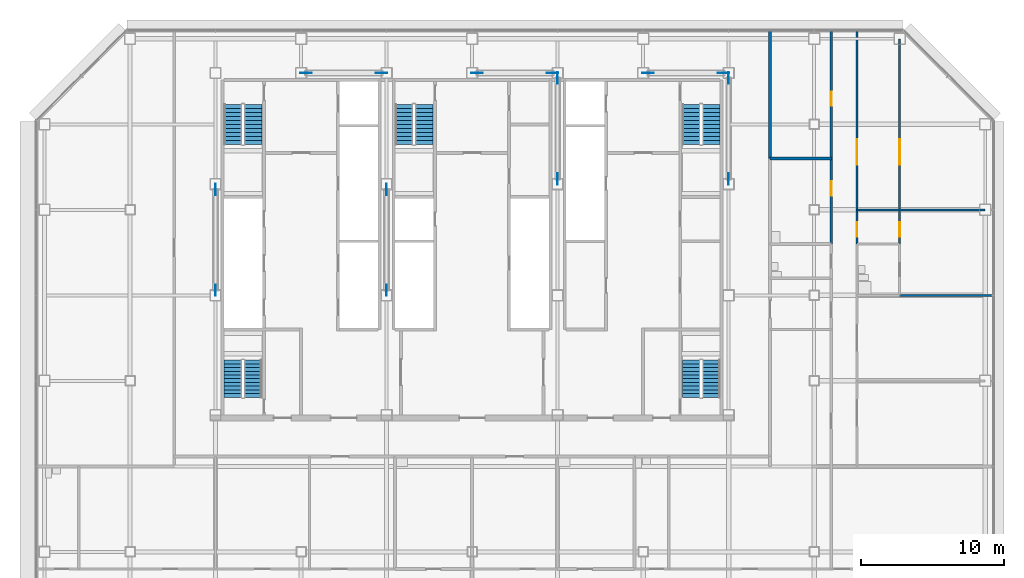
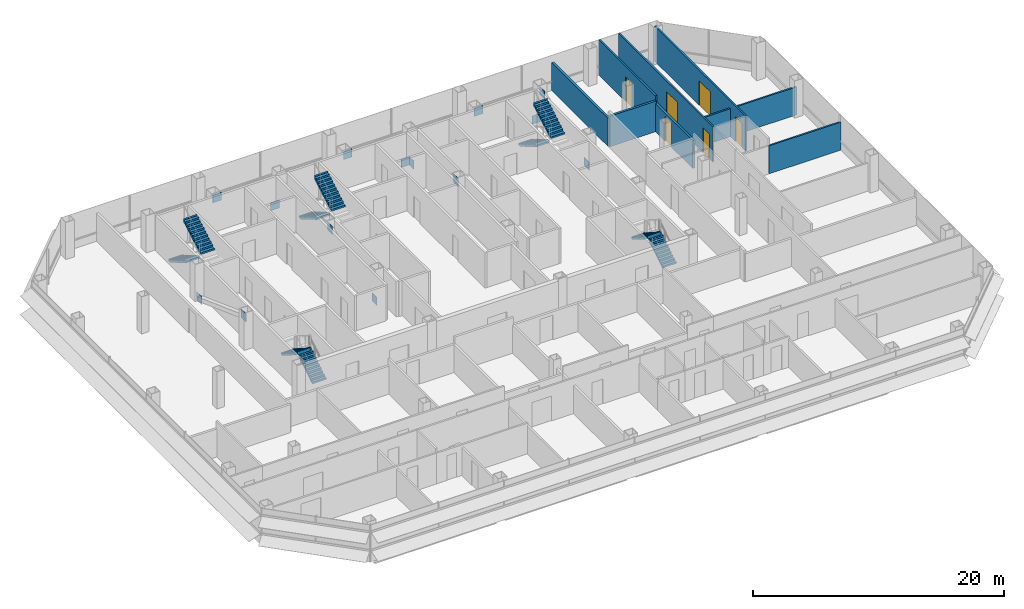
# One storey, part 23 of 25: 14 discrete accessories, 10 stair flights, 8 walls, 6 doors, 6 openings, 5 elements without a shape of their own.
"""IFC4 building model written with IfcOpenShell, lengths in metres."""

import ifcopenshell
import ifcopenshell.guid

model = None  # the IFC model being written
_history = None  # IfcOwnerHistory: only IFC2X3 demands one
_inside = {}  # id of a spatial element -> (the spatial element, [elements in it])
_under = {}  # id of a project, library or spatial element -> (it, [spatial elements below it])
_declared = {}  # id of a project -> (the project, [libraries it declares])
_typed = {}  # id of a type object -> (the type object, [elements of that type])
_made_of = {}  # id of a material, layer set ... -> (it, [elements and type objects made of it])


def new_model(schema):
    """Start an empty IFC model of exactly this schema.

    Asked for "IFC4X3", IfcOpenShell would pick the latest addendum, in which some entities
    have other attributes; the version numbers below select the first issue.
    IFC2X3 requires an IfcOwnerHistory on every rooted entity: one is made here for all.
    """
    global model, _history
    if schema == "IFC4X3":
        model = ifcopenshell.file(schema_version=(4, 3, 0, 0))
    else:
        model = ifcopenshell.file(schema=schema)
    _inside.clear()
    _under.clear()
    _declared.clear()
    _typed.clear()
    _made_of.clear()
    _history = None
    if model.schema == "IFC2X3":
        org = make("IfcOrganization", Name="unknown")
        user = make(
            "IfcPersonAndOrganization",
            ThePerson=make("IfcPerson", FamilyName="unknown"),
            TheOrganization=org,
        )
        app = make(
            "IfcApplication",
            ApplicationDeveloper=org,
            Version="unknown",
            ApplicationFullName="unknown",
            ApplicationIdentifier="unknown",
        )
        _history = make(
            "IfcOwnerHistory",
            OwningUser=user,
            OwningApplication=app,
            ChangeAction="ADDED",
            CreationDate=0,
        )
    return model


def make(cls, **values):
    """One entity of the class cls with the attributes given. An attribute that is None is left unset."""
    return model.create_entity(
        cls, **{name: value for name, value in values.items() if value is not None}
    )


def rooted(cls, **values):
    """An entity with a GlobalId (a new one), such as an element, a storey or a relation."""
    return make(cls, GlobalId=ifcopenshell.guid.new(), OwnerHistory=_history, **values)


def si_unit(unit_type, name, prefix=None):
    """IfcSIUnit, for example si_unit("LENGTHUNIT", "METRE", prefix="MILLI")."""
    return make("IfcSIUnit", UnitType=unit_type, Prefix=prefix, Name=name)


def assignment(units):
    """IfcUnitAssignment: the units of a project."""
    return None if units is None else make("IfcUnitAssignment", Units=units)


def point(xyz):
    """IfcCartesianPoint."""
    return None if xyz is None else make("IfcCartesianPoint", Coordinates=xyz)


def direction(xyz):
    """IfcDirection."""
    return None if xyz is None else make("IfcDirection", DirectionRatios=xyz)


def frame(location, z_axis=None, x_axis=None):
    """IfcAxis2Placement3D, a coordinate frame: its origin and axes. An axis left out is left unset."""
    return make(
        "IfcAxis2Placement3D",
        Location=point(location),
        Axis=direction(z_axis),
        RefDirection=direction(x_axis),
    )


def frame_2d(location, x_axis=None):
    """IfcAxis2Placement2D, a coordinate frame in the plane: its origin and x axis."""
    return make(
        "IfcAxis2Placement2D", Location=point(location), RefDirection=direction(x_axis)
    )


def origin():
    """The frame at (0, 0, 0) with its axes left unset."""
    return frame((0.0, 0.0, 0.0))


def origin_2d():
    """The frame at (0, 0) in the plane with its x axis left unset."""
    return frame_2d((0.0, 0.0))


def place(relative_to, where):
    """IfcLocalPlacement: puts the frame where relative to a parent placement (None: the world)."""
    return make(
        "IfcLocalPlacement", PlacementRelTo=relative_to, RelativePlacement=where
    )


def context(
    kind, dimensions, precision=None, world=None, true_north=None, identifier=None
):
    """IfcGeometricRepresentationContext, for example the 3D "Model" context."""
    return make(
        "IfcGeometricRepresentationContext",
        ContextIdentifier=identifier,
        ContextType=kind,
        CoordinateSpaceDimension=dimensions,
        Precision=precision,
        WorldCoordinateSystem=world,
        TrueNorth=true_north,
    )


def subcontext(parent, identifier, kind, view, scale=None):
    """IfcGeometricRepresentationSubContext, for example "Body" below "Model"."""
    return make(
        "IfcGeometricRepresentationSubContext",
        ContextIdentifier=identifier,
        ContextType=kind,
        ParentContext=parent,
        TargetScale=scale,
        TargetView=view,
    )


def project(units=None, contexts=None):
    """IfcProject with its units and contexts."""
    return rooted(
        "IfcProject",
        Name="project",
        RepresentationContexts=contexts,
        UnitsInContext=assignment(units),
    )


def spatial(cls, under=None, at=None, **own):
    """A site, building, storey or space (cls), placed at a placement, below another one or the project."""
    s = rooted(cls, ObjectPlacement=at, **own)
    if under is not None:
        _under.setdefault(under.id(), (under, []))[1].append(s)
    return s


def polyline(points):
    """IfcPolyline through the points."""
    return make("IfcPolyline", Points=[point(p) for p in points])


def profile(cls, at=None, kind="AREA", **sizes):
    """A parametric profile (cls). Its sizes go by their IFC names, for example OverallWidth=200.0."""
    return make(cls, ProfileType=kind, Position=at, **sizes)


def rectangle(**sizes):
    """IfcRectangleProfileDef."""
    return profile("IfcRectangleProfileDef", **sizes)


def outline(outer, holes=None, kind="AREA"):
    """IfcArbitraryClosedProfileDef: a profile drawn as a closed curve; with holes, ...WithVoids."""
    if holes is None:
        return make("IfcArbitraryClosedProfileDef", ProfileType=kind, OuterCurve=outer)
    return make(
        "IfcArbitraryProfileDefWithVoids",
        ProfileType=kind,
        OuterCurve=outer,
        InnerCurves=holes,
    )


def extrude(swept, where, along, depth):
    """IfcExtrudedAreaSolid: the profile swept, set in the frame where, extruded along a direction by depth."""
    return make(
        "IfcExtrudedAreaSolid",
        SweptArea=swept,
        Position=where,
        ExtrudedDirection=direction(along),
        Depth=depth,
    )


def shape(context_of_items, identifier, shape_type, items):
    """IfcShapeRepresentation: the items that make up one representation, for example the "Body"."""
    return make(
        "IfcShapeRepresentation",
        ContextOfItems=context_of_items,
        RepresentationIdentifier=identifier,
        RepresentationType=shape_type,
        Items=items,
    )


def material(Name=None, Category=None):
    """IfcMaterial."""
    return make("IfcMaterial", Name=Name, Category=Category)


def layer(
    of_material, thickness, ventilated=None, Name=None, Category=None, Priority=None
):
    """IfcMaterialLayer: one layer of a wall or slab, of a material (None: an air gap)."""
    return make(
        "IfcMaterialLayer",
        Material=of_material,
        LayerThickness=thickness,
        IsVentilated=ventilated,
        Name=Name,
        Category=Category,
        Priority=Priority,
    )


def layer_set(layers, Name=None):
    """IfcMaterialLayerSet."""
    return make("IfcMaterialLayerSet", MaterialLayers=layers, LayerSetName=Name)


def made_of(thing, what):
    """Note that an element or type object is made of a material, layer set ...; save() writes the relation."""
    if what is not None:
        _made_of.setdefault(what.id(), (what, []))[1].append(thing)
    return thing


def type_object(cls, material=None, **own):
    """A type object (cls), such as IfcWallType, which elements share."""
    return made_of(rooted(cls, **own), material)


def element(
    cls,
    number,
    at=None,
    inside=None,
    cuts=None,
    type_object=None,
    material=None,
    context=None,
    identifier="Body",
    shape_type=None,
    held_by="IfcProductDefinitionShape",
    body=None,
    shapes=None,
    **own,
):
    """One element of the class cls, such as IfcWall. Its Tag is "e" and its number.

    at: its placement. inside: the storey or other place that contains it. cuts: it is an
    opening in that element (IfcRelVoidsElement). A single representation is given by context,
    identifier, shape_type and body (its items); several are given by shapes. held_by: the class
    of the entity that holds the representations. save() writes the other relations.
    """
    e = rooted(cls, Tag="e%d" % number, ObjectPlacement=at, **own)
    if body is not None:
        shapes = [shape(context, identifier, shape_type, body)]
    if shapes is not None:
        e.Representation = make(held_by, Representations=shapes)
    if inside is not None:
        _inside.setdefault(inside.id(), (inside, []))[1].append(e)
    if cuts is not None:
        rooted(
            "IfcRelVoidsElement", RelatingBuildingElement=cuts, RelatedOpeningElement=e
        )
    if type_object is not None:
        _typed.setdefault(type_object.id(), (type_object, []))[1].append(e)
    return made_of(e, material)


def fill(opening, filler):
    """IfcRelFillsElement: the door or window that sits in an opening."""
    return rooted(
        "IfcRelFillsElement",
        RelatingOpeningElement=opening,
        RelatedBuildingElement=filler,
    )


def aggregate(whole, parts):
    """IfcRelAggregates: a whole, such as a stair, and the parts it consists of."""
    return rooted("IfcRelAggregates", RelatingObject=whole, RelatedObjects=parts)


def save(model, path):
    """Write the relations noted so far, then the file.

    IfcRelAggregates (storeys below a building ...), IfcRelContainedInSpatialStructure (elements
    in a storey), IfcRelDefinesByType, IfcRelAssociatesMaterial and IfcRelDeclares: one each for
    every whole, place, type object, material and project.
    """
    for whole, parts in _under.values():
        aggregate(whole, parts)
    for where, things in _inside.values():
        rooted(
            "IfcRelContainedInSpatialStructure",
            RelatedElements=things,
            RelatingStructure=where,
        )
    for kind, things in _typed.values():
        rooted("IfcRelDefinesByType", RelatedObjects=things, RelatingType=kind)
    for what, things in _made_of.values():
        rooted("IfcRelAssociatesMaterial", RelatedObjects=things, RelatingMaterial=what)
    for by, libraries in _declared.values():
        rooted("IfcRelDeclares", RelatingContext=by, RelatedDefinitions=libraries)
    model.write(path)


model = new_model("IFC4")

# Units and contexts
model_context = context("Model", 3, precision=1e-05, world=origin(), true_north=direction((0.0, 1.0)))
body_context = subcontext(model_context, "Body", "Model", "MODEL_VIEW")
ifc_project = project(units=[si_unit("LENGTHUNIT", "METRE"), si_unit("AREAUNIT", "SQUARE_METRE"), si_unit("VOLUMEUNIT", "CUBIC_METRE"), si_unit("PLANEANGLEUNIT", "RADIAN"), si_unit("MASSUNIT", "GRAM", prefix="KILO")], contexts=[model_context])

# Site, building, storey
site_placement = place(None, origin())
site = spatial("IfcSite", under=ifc_project, at=site_placement, CompositionType="ELEMENT")
building_placement = place(site_placement, origin())
building = spatial("IfcBuilding", under=site, at=building_placement, Name="Sorahane Residences", CompositionType="ELEMENT")
storey_placement = place(building_placement, frame((0.0, 0.0, 123.199951171875)))
storey = spatial("IfcBuildingStorey", under=building, at=storey_placement, Name="L27", CompositionType="ELEMENT", Elevation=123.199951171875)

# Wall
ifc_material_1 = material(Name="Concrete blockwork C20 wall", Category="masonry")
ifc_layer_1 = layer(ifc_material_1, 0.199951171875)
ifc_layer_set_1 = layer_set([ifc_layer_1], Name="Corridor wall 200 EI 120")
wall_type_1 = type_object("IfcWallType", Name="Corridor wall 200 EI 120", PredefinedType="SOLIDWALL", material=ifc_layer_set_1)
wall_1_placement = place(storey_placement, frame((44.89990234375, 39.60009765625, 0.0), z_axis=(0.0, 0.0, 1.0), x_axis=(0.0, 1.0, 0.0)))
element("IfcWall", 1, at=wall_1_placement, inside=storey, type_object=wall_type_1, Name="L27 corridor wall", PredefinedType="SOLIDWALL", context=body_context, shape_type="SweptSolid", body=[
    extrude(rectangle(XDim=9.0, YDim=0.199951171875, at=frame_2d((4.5, 0.0))), origin(), (0.0, 0.0, 1.0), 2.719970703125),
])

# Wall, opening, door
ifc_material_2 = material(Name="Concrete blockwork C20 wall", Category="masonry")
ifc_layer_2 = layer(ifc_material_2, 0.199951171875)
ifc_layer_set_2 = layer_set([ifc_layer_2], Name="Kitchen wall 200 EI 180")
wall_type_2 = type_object("IfcWallType", Name="Kitchen wall 200 EI 180", PredefinedType="SOLIDWALL", material=ifc_layer_set_2)
wall_2_placement = place(storey_placement, frame((49.199951171875, 33.60009765625, 0.0), z_axis=(0.0, 0.0, 1.0), x_axis=(0.0, 1.0, 0.0)))
wall_2 = element("IfcWall", 2, at=wall_2_placement, inside=storey, type_object=wall_type_2, Name="L27 kitchen wall", PredefinedType="SOLIDWALL", context=body_context, shape_type="SweptSolid", body=[
    extrude(rectangle(XDim=6.0, YDim=0.199951171875, at=frame_2d((3.0, 0.0))), origin(), (0.0, 0.0, 1.0), 2.719970703125),
])
opening_1_placement = place(wall_2_placement, frame((3.39990234375, 0.0, 0.0)))
opening_1 = element("IfcOpeningElement", 3, at=opening_1_placement, cuts=wall_2, Name="Opening L27-31", PredefinedType="OPENING", context=body_context, shape_type="SweptSolid", body=[
    extrude(rectangle(XDim=1.0, YDim=2.39990234375, at=frame_2d((0.5, 1.199951171875))), frame((0.0, 0.10986328125, 0.0), z_axis=(0.0, -1.0, 0.0), x_axis=(1.0, 0.0, 0.0)), (0.0, 0.0, 1.0), 0.219970703125),
])
ifc_material_3 = material(Name="Steel", Category="steel")
door_type_1 = type_object("IfcDoorType", Name="Kitchen door 1000x2400 FD120", OperationType="NOTDEFINED", PredefinedType="DOOR", material=ifc_material_3)
door_1_placement = place(opening_1_placement, origin())
door_1 = element("IfcDoor", 4, at=door_1_placement, inside=storey, type_object=door_type_1, Name="Kitchen door L27-31", OperationType="SINGLE_SWING_LEFT", OverallHeight=2.39990234375, OverallWidth=1.0, PredefinedType="DOOR", context=body_context, shape_type="SweptSolid", body=[
    extrude(rectangle(XDim=1.0, YDim=2.39990234375, at=frame_2d((0.5, 1.199951171875))), frame((0.0, 0.02490234375, 0.0), z_axis=(0.0, -1.0, 0.0), x_axis=(1.0, 0.0, 0.0)), (0.0, 0.0, 1.0), 0.050048828125),
])
fill(opening_1, door_1)

# Wall
wall_3_placement = place(storey_placement, frame((44.89990234375, 39.60009765625, 0.0), z_axis=(0.0, 0.0, 1.0), x_axis=(1.0, 0.0, 0.0)))
element("IfcWall", 5, at=wall_3_placement, inside=storey, type_object=wall_type_2, Name="L27 kitchen wall", PredefinedType="SOLIDWALL", context=body_context, shape_type="SweptSolid", body=[
    extrude(rectangle(XDim=4.300048828125, YDim=0.199951171875, at=frame_2d((2.14990234375, 0.0))), origin(), (0.0, 0.0, 1.0), 2.969970703125),
])

# Wall, opening, door
ifc_material_4 = material(Name="Gypsum board partition on steel studs", Category="steel")
ifc_layer_3 = layer(ifc_material_4, 0.14990234375)
ifc_layer_set_3 = layer_set([ifc_layer_3], Name="Partition 150 EI 90")
wall_type_3 = type_object("IfcWallType", Name="Partition 150 EI 90", PredefinedType="PARTITIONING", material=ifc_layer_set_3)
wall_4_placement = place(storey_placement, frame((49.199951171875, 39.60009765625, 0.0), z_axis=(0.0, 0.0, 1.0), x_axis=(0.0, 1.0, 0.0)))
wall_4 = element("IfcWall", 6, at=wall_4_placement, inside=storey, type_object=wall_type_3, Name="L27 partition", PredefinedType="PARTITIONING", context=body_context, shape_type="SweptSolid", body=[
    extrude(rectangle(XDim=9.0, YDim=0.14990234375, at=frame_2d((4.5, 0.0))), origin(), (0.0, 0.0, 1.0), 3.420166015625),
])
opening_2_placement = place(wall_4_placement, frame((3.699951171875, 0.0, 0.0)))
opening_2 = element("IfcOpeningElement", 7, at=opening_2_placement, cuts=wall_4, Name="Opening L27-32", PredefinedType="OPENING", context=body_context, shape_type="SweptSolid", body=[
    extrude(rectangle(XDim=1.0, YDim=2.39990234375, at=frame_2d((0.5, 1.199951171875))), frame((0.0, 0.0849609375, 0.0), z_axis=(0.0, -1.0, 0.0), x_axis=(1.0, 0.0, 0.0)), (0.0, 0.0, 1.0), 0.169921875),
])
ifc_material_5 = material(Name="Timber veneered fire door", Category="wood")
door_type_2 = type_object("IfcDoorType", Name="Room door 1000x2400 FD30", OperationType="NOTDEFINED", PredefinedType="DOOR", material=ifc_material_5)
door_2_placement = place(opening_2_placement, origin())
door_2 = element("IfcDoor", 8, at=door_2_placement, inside=storey, type_object=door_type_2, Name="Room door L27-32", OperationType="SINGLE_SWING_RIGHT", OverallHeight=2.39990234375, OverallWidth=1.0, PredefinedType="DOOR", context=body_context, shape_type="SweptSolid", body=[
    extrude(rectangle(XDim=1.0, YDim=2.39990234375, at=frame_2d((0.5, 1.199951171875))), frame((0.0, 0.02490234375, 0.0), z_axis=(0.0, -1.0, 0.0), x_axis=(1.0, 0.0, 0.0)), (0.0, 0.0, 1.0), 0.050048828125),
])
fill(opening_2, door_2)

# Wall, openings, doors
wall_5_placement = place(storey_placement, frame((51.0, 33.60009765625, 0.0), z_axis=(0.0, 0.0, 1.0), x_axis=(0.0, 1.0, 0.0)))
wall_5 = element("IfcWall", 9, at=wall_5_placement, inside=storey, type_object=wall_type_3, Name="L27 partition", PredefinedType="PARTITIONING", context=body_context, shape_type="SweptSolid", body=[
    extrude(rectangle(XDim=15.0, YDim=0.14990234375, at=frame_2d((7.5, 0.0))), origin(), (0.0, 0.0, 1.0), 3.420166015625),
])
opening_3_placement = place(wall_5_placement, frame((0.52001953125, 0.0, 0.0)))
opening_3 = element("IfcOpeningElement", 10, at=opening_3_placement, cuts=wall_5, Name="Opening L27-35", PredefinedType="OPENING", context=body_context, shape_type="SweptSolid", body=[
    extrude(rectangle(XDim=1.0, YDim=2.39990234375, at=frame_2d((0.5, 1.199951171875))), frame((0.0, 0.0849609375, 0.0), z_axis=(0.0, -1.0, 0.0), x_axis=(1.0, 0.0, 0.0)), (0.0, 0.0, 1.0), 0.169921875),
])
opening_4_placement = place(wall_5_placement, frame((5.56005859375, 0.0, 0.0)))
opening_4 = element("IfcOpeningElement", 11, at=opening_4_placement, cuts=wall_5, Name="Opening L27-36", PredefinedType="OPENING", context=body_context, shape_type="SweptSolid", body=[
    extrude(rectangle(XDim=1.800048828125, YDim=2.39990234375, at=frame_2d((0.89990234375, 1.199951171875))), frame((0.0, 0.0849609375, 0.0), z_axis=(0.0, -1.0, 0.0), x_axis=(1.0, 0.0, 0.0)), (0.0, 0.0, 1.0), 0.169921875),
])
ifc_material_6 = material(Name="Timber veneered fire door", Category="wood")
door_type_3 = type_object("IfcDoorType", Name="Double door 1800x2400 FD30", OperationType="NOTDEFINED", PredefinedType="DOOR", material=ifc_material_6)
door_3_placement = place(opening_4_placement, frame((1.800048828125, 0.0, 0.0), z_axis=(0.0, 0.0, 1.0), x_axis=(-1.0, 0.0, 0.0)))
door_3 = element("IfcDoor", 12, at=door_3_placement, inside=storey, type_object=door_type_3, Name="Double door L27-36", OperationType="SINGLE_SWING_RIGHT", OverallHeight=2.39990234375, OverallWidth=1.800048828125, PredefinedType="DOOR", context=body_context, shape_type="SweptSolid", body=[
    extrude(rectangle(XDim=1.800048828125, YDim=2.39990234375, at=frame_2d((0.89990234375, 1.199951171875))), frame((0.0, 0.02490234375, 0.0), z_axis=(0.0, -1.0, 0.0), x_axis=(1.0, 0.0, 0.0)), (0.0, 0.0, 1.0), 0.050048828125),
])
fill(opening_4, door_3)
door_4_placement = place(opening_3_placement, frame((1.0, 0.0, 0.0), z_axis=(0.0, 0.0, 1.0), x_axis=(-1.0, 0.0, 0.0)))
door_4 = element("IfcDoor", 13, at=door_4_placement, inside=storey, type_object=door_type_2, Name="Room door L27-35", OperationType="SINGLE_SWING_LEFT", OverallHeight=2.39990234375, OverallWidth=1.0, PredefinedType="DOOR", context=body_context, shape_type="SweptSolid", body=[
    extrude(rectangle(XDim=1.0, YDim=2.39990234375, at=frame_2d((0.5, 1.199951171875))), frame((0.0, 0.02490234375, 0.0), z_axis=(0.0, -1.0, 0.0), x_axis=(1.0, 0.0, 0.0)), (0.0, 0.0, 1.0), 0.050048828125),
])
fill(opening_3, door_4)

wall_6_placement = place(storey_placement, frame((54.0, 33.60009765625, 0.0), z_axis=(0.0, 0.0, 1.0), x_axis=(0.0, 1.0, 0.0)))
wall_6 = element("IfcWall", 14, at=wall_6_placement, inside=storey, type_object=wall_type_3, Name="L27 partition", PredefinedType="PARTITIONING", context=body_context, shape_type="SweptSolid", body=[
    extrude(rectangle(XDim=14.39990234375, YDim=0.14990234375, at=frame_2d((7.199951171875, 0.0))), origin(), (0.0, 0.0, 1.0), 3.420166015625),
])
opening_5_placement = place(wall_6_placement, frame((0.52001953125, 0.0, 0.0)))
opening_5 = element("IfcOpeningElement", 15, at=opening_5_placement, cuts=wall_6, Name="Opening L27-37", PredefinedType="OPENING", context=body_context, shape_type="SweptSolid", body=[
    extrude(rectangle(XDim=1.0, YDim=2.39990234375, at=frame_2d((0.5, 1.199951171875))), frame((0.0, 0.0849609375, 0.0), z_axis=(0.0, -1.0, 0.0), x_axis=(1.0, 0.0, 0.0)), (0.0, 0.0, 1.0), 0.169921875),
])
opening_6_placement = place(wall_6_placement, frame((5.56005859375, 0.0, 0.0)))
opening_6 = element("IfcOpeningElement", 16, at=opening_6_placement, cuts=wall_6, Name="Opening L27-39", PredefinedType="OPENING", context=body_context, shape_type="SweptSolid", body=[
    extrude(rectangle(XDim=1.800048828125, YDim=2.39990234375, at=frame_2d((0.89990234375, 1.199951171875))), frame((0.0, 0.0849609375, 0.0), z_axis=(0.0, -1.0, 0.0), x_axis=(1.0, 0.0, 0.0)), (0.0, 0.0, 1.0), 0.169921875),
])
door_5_placement = place(opening_6_placement, frame((1.800048828125, 0.0, 0.0), z_axis=(0.0, 0.0, 1.0), x_axis=(-1.0, 0.0, 0.0)))
door_5 = element("IfcDoor", 17, at=door_5_placement, inside=storey, type_object=door_type_3, Name="Double door L27-39", OperationType="SINGLE_SWING_LEFT", OverallHeight=2.39990234375, OverallWidth=1.800048828125, PredefinedType="DOOR", context=body_context, shape_type="SweptSolid", body=[
    extrude(rectangle(XDim=1.800048828125, YDim=2.39990234375, at=frame_2d((0.89990234375, 1.199951171875))), frame((0.0, 0.02490234375, 0.0), z_axis=(0.0, -1.0, 0.0), x_axis=(1.0, 0.0, 0.0)), (0.0, 0.0, 1.0), 0.050048828125),
])
fill(opening_6, door_5)
door_6_placement = place(opening_5_placement, frame((1.0, 0.0, 0.0), z_axis=(0.0, 0.0, 1.0), x_axis=(-1.0, 0.0, 0.0)))
door_6 = element("IfcDoor", 18, at=door_6_placement, inside=storey, type_object=door_type_2, Name="Room door L27-37", OperationType="SINGLE_SWING_LEFT", OverallHeight=2.39990234375, OverallWidth=1.0, PredefinedType="DOOR", context=body_context, shape_type="SweptSolid", body=[
    extrude(rectangle(XDim=1.0, YDim=2.39990234375, at=frame_2d((0.5, 1.199951171875))), frame((0.0, 0.02490234375, 0.0), z_axis=(0.0, -1.0, 0.0), x_axis=(1.0, 0.0, 0.0)), (0.0, 0.0, 1.0), 0.050048828125),
])
fill(opening_5, door_6)

# Walls
wall_7_placement = place(storey_placement, frame((54.0, 30.0, 0.0), z_axis=(0.0, 0.0, 1.0), x_axis=(1.0, 0.0, 0.0)))
element("IfcWall", 19, at=wall_7_placement, inside=storey, type_object=wall_type_3, Name="L27 partition", PredefinedType="PARTITIONING", context=body_context, shape_type="SweptSolid", body=[
    extrude(rectangle(XDim=6.60009765625, YDim=0.14990234375, at=frame_2d((3.300048828125, 0.0))), origin(), (0.0, 0.0, 1.0), 2.719970703125),
])
wall_8_placement = place(storey_placement, frame((51.0, 36.0, 0.0), z_axis=(0.0, 0.0, 1.0), x_axis=(1.0, 0.0, 0.0)))
element("IfcWall", 20, at=wall_8_placement, inside=storey, type_object=wall_type_3, Name="L27 partition", PredefinedType="PARTITIONING", context=body_context, shape_type="SweptSolid", body=[
    extrude(rectangle(XDim=9.0, YDim=0.14990234375, at=frame_2d((4.5, 0.0))), origin(), (0.0, 0.0, 1.0), 2.719970703125),
])

# Stair, stair flights
ifc_material_7 = material(Name="Concrete C40", Category="concrete")
stair_type = type_object("IfcStairType", Name="Dog-leg stair 1250 Concrete C40", PredefinedType="HALF_TURN_STAIR", material=ifc_material_7)
stair_1_placement = place(storey_placement, origin())
stair_1 = element("IfcStair", 21, at=stair_1_placement, inside=storey, type_object=stair_type, Name="L27 Stair S1", PredefinedType="HALF_TURN_STAIR")
ifc_material_8 = material(Name="Concrete C40", Category="concrete")
stair_flight_type = type_object("IfcStairFlightType", Name="Stair flight 1250 Concrete C40", PredefinedType="STRAIGHT", material=ifc_material_8)
stair_flight_1_placement = place(storey_placement, frame((7.22509765625, 43.39990234375, 0.0), z_axis=(0.0, 0.0, 1.0), x_axis=(0.0, -1.0, 0.0)))
stair_flight_1 = element("IfcStairFlight", 22, at=stair_flight_1_placement, type_object=stair_flight_type, Name="S1 flight 1", NumberOfRisers=11, NumberOfTreads=10, PredefinedType="STRAIGHT", RiserHeight=0.163636364, TreadLength=0.28, context=body_context, shape_type="SweptSolid", body=[
    extrude(outline(polyline([(-0.00146484375, 0.0), (-0.00146484375, 0.16357421875), (0.0, 0.16357421875), (0.280029296875, 0.16357421875), (0.280029296875, 0.327392578125), (0.56005859375, 0.327392578125), (0.56005859375, 0.490966796875), (0.840087890625, 0.490966796875), (0.840087890625, 0.654541015625), (1.1201171875, 0.654541015625), (1.1201171875, 0.818115234375), (1.39990234375, 0.818115234375), (1.39990234375, 0.98193359375), (1.679931640625, 0.98193359375), (1.679931640625, 1.1455078125), (1.9599609375, 1.1455078125), (1.9599609375, 1.30908203125), (2.239990234375, 1.30908203125), (2.239990234375, 1.47265625), (2.52001953125, 1.47265625), (2.52001953125, 1.636474609375), (2.800048828125, 1.636474609375), (2.800048828125, 1.800048828125), (2.800048828125, 1.462646484375), (2.59130859375, 1.3408203125), (2.3828125, 1.218994140625), (2.17431640625, 1.09716796875), (1.965576171875, 0.97509765625), (1.757080078125, 0.853271484375), (1.548583984375, 0.7314453125), (1.340087890625, 0.609375), (1.13134765625, 0.487548828125), (0.9228515625, 0.36572265625), (0.71435546875, 0.243896484375), (0.505615234375, 0.121826171875), (0.297119140625, 0.0), (-0.00146484375, 0.0)])), frame((0.0, 0.625, 0.0), z_axis=(0.0, -1.0, 0.0), x_axis=(1.0, 0.0, 0.0)), (0.0, 0.0, 1.0), 1.25),
])
stair_flight_2_placement = place(storey_placement, frame((8.625, 40.60009765625, 1.800048828125), z_axis=(0.0, 0.0, 1.0), x_axis=(0.0, 1.0, 0.0)))
stair_flight_2 = element("IfcStairFlight", 23, at=stair_flight_2_placement, type_object=stair_flight_type, Name="S1 flight 2", NumberOfRisers=11, NumberOfTreads=10, PredefinedType="STRAIGHT", RiserHeight=0.163636364, TreadLength=0.28, context=body_context, shape_type="SweptSolid", body=[
    extrude(outline(polyline([(0.0, 0.0), (0.0, 0.16357421875), (0.280029296875, 0.16357421875), (0.280029296875, 0.327392578125), (0.56005859375, 0.327392578125), (0.56005859375, 0.490966796875), (0.840087890625, 0.490966796875), (0.840087890625, 0.654541015625), (1.1201171875, 0.654541015625), (1.1201171875, 0.818115234375), (1.39990234375, 0.818115234375), (1.39990234375, 0.98193359375), (1.679931640625, 0.98193359375), (1.679931640625, 1.1455078125), (1.9599609375, 1.1455078125), (1.9599609375, 1.30908203125), (2.239990234375, 1.30908203125), (2.239990234375, 1.47265625), (2.52001953125, 1.47265625), (2.52001953125, 1.636474609375), (2.800048828125, 1.636474609375), (2.800048828125, 1.800048828125), (2.801513671875, 1.800048828125), (2.801513671875, 1.462646484375), (2.5927734375, 1.3408203125), (2.384033203125, 1.218994140625), (2.17529296875, 1.09716796875), (1.966796875, 0.97509765625), (1.758056640625, 0.853271484375), (1.54931640625, 0.7314453125), (1.340576171875, 0.609375), (1.1318359375, 0.487548828125), (0.923095703125, 0.36572265625), (0.714599609375, 0.243896484375), (0.505859375, 0.121826171875), (0.297119140625, 0.0), (0.0, 0.0)])), frame((0.0, 0.625, 0.0), z_axis=(0.0, -1.0, 0.0), x_axis=(1.0, 0.0, 0.0)), (0.0, 0.0, 1.0), 1.25),
])
aggregate(stair_1, [stair_flight_1, stair_flight_2])

stair_2_placement = place(storey_placement, origin())
stair_2 = element("IfcStair", 24, at=stair_2_placement, inside=storey, type_object=stair_type, Name="L27 Stair S2", PredefinedType="HALF_TURN_STAIR")
stair_flight_3_placement = place(storey_placement, frame((39.375, 43.39990234375, 0.0), z_axis=(0.0, 0.0, 1.0), x_axis=(0.0, -1.0, 0.0)))
stair_flight_3 = element("IfcStairFlight", 25, at=stair_flight_3_placement, type_object=stair_flight_type, Name="S2 flight 1", NumberOfRisers=11, NumberOfTreads=10, PredefinedType="STRAIGHT", RiserHeight=0.163636364, TreadLength=0.28, context=body_context, shape_type="SweptSolid", body=[
    extrude(outline(polyline([(-0.00146484375, 0.0), (-0.00146484375, 0.16357421875), (0.0, 0.16357421875), (0.280029296875, 0.16357421875), (0.280029296875, 0.327392578125), (0.56005859375, 0.327392578125), (0.56005859375, 0.490966796875), (0.840087890625, 0.490966796875), (0.840087890625, 0.654541015625), (1.1201171875, 0.654541015625), (1.1201171875, 0.818115234375), (1.39990234375, 0.818115234375), (1.39990234375, 0.98193359375), (1.679931640625, 0.98193359375), (1.679931640625, 1.1455078125), (1.9599609375, 1.1455078125), (1.9599609375, 1.30908203125), (2.239990234375, 1.30908203125), (2.239990234375, 1.47265625), (2.52001953125, 1.47265625), (2.52001953125, 1.636474609375), (2.800048828125, 1.636474609375), (2.800048828125, 1.800048828125), (2.800048828125, 1.462646484375), (2.59130859375, 1.3408203125), (2.3828125, 1.218994140625), (2.17431640625, 1.09716796875), (1.965576171875, 0.97509765625), (1.757080078125, 0.853271484375), (1.548583984375, 0.7314453125), (1.340087890625, 0.609375), (1.13134765625, 0.487548828125), (0.9228515625, 0.36572265625), (0.71435546875, 0.243896484375), (0.505615234375, 0.121826171875), (0.297119140625, 0.0), (-0.00146484375, 0.0)])), frame((0.0, 0.625, 0.0), z_axis=(0.0, -1.0, 0.0), x_axis=(1.0, 0.0, 0.0)), (0.0, 0.0, 1.0), 1.25),
])
stair_flight_4_placement = place(storey_placement, frame((40.77490234375, 40.60009765625, 1.800048828125), z_axis=(0.0, 0.0, 1.0), x_axis=(0.0, 1.0, 0.0)))
stair_flight_4 = element("IfcStairFlight", 26, at=stair_flight_4_placement, type_object=stair_flight_type, Name="S2 flight 2", NumberOfRisers=11, NumberOfTreads=10, PredefinedType="STRAIGHT", RiserHeight=0.163636364, TreadLength=0.28, context=body_context, shape_type="SweptSolid", body=[
    extrude(outline(polyline([(0.0, 0.0), (0.0, 0.16357421875), (0.280029296875, 0.16357421875), (0.280029296875, 0.327392578125), (0.56005859375, 0.327392578125), (0.56005859375, 0.490966796875), (0.840087890625, 0.490966796875), (0.840087890625, 0.654541015625), (1.1201171875, 0.654541015625), (1.1201171875, 0.818115234375), (1.39990234375, 0.818115234375), (1.39990234375, 0.98193359375), (1.679931640625, 0.98193359375), (1.679931640625, 1.1455078125), (1.9599609375, 1.1455078125), (1.9599609375, 1.30908203125), (2.239990234375, 1.30908203125), (2.239990234375, 1.47265625), (2.52001953125, 1.47265625), (2.52001953125, 1.636474609375), (2.800048828125, 1.636474609375), (2.800048828125, 1.800048828125), (2.801513671875, 1.800048828125), (2.801513671875, 1.462646484375), (2.5927734375, 1.3408203125), (2.384033203125, 1.218994140625), (2.17529296875, 1.09716796875), (1.966796875, 0.97509765625), (1.758056640625, 0.853271484375), (1.54931640625, 0.7314453125), (1.340576171875, 0.609375), (1.1318359375, 0.487548828125), (0.923095703125, 0.36572265625), (0.714599609375, 0.243896484375), (0.505859375, 0.121826171875), (0.297119140625, 0.0), (0.0, 0.0)])), frame((0.0, 0.625, 0.0), z_axis=(0.0, -1.0, 0.0), x_axis=(1.0, 0.0, 0.0)), (0.0, 0.0, 1.0), 1.25),
])
aggregate(stair_2, [stair_flight_3, stair_flight_4])

stair_3_placement = place(storey_placement, origin())
stair_3 = element("IfcStair", 27, at=stair_3_placement, inside=storey, type_object=stair_type, Name="L27 Stair S3", PredefinedType="HALF_TURN_STAIR")
stair_flight_5_placement = place(storey_placement, frame((19.22509765625, 43.39990234375, 0.0), z_axis=(0.0, 0.0, 1.0), x_axis=(0.0, -1.0, 0.0)))
stair_flight_5 = element("IfcStairFlight", 28, at=stair_flight_5_placement, type_object=stair_flight_type, Name="S3 flight 1", NumberOfRisers=11, NumberOfTreads=10, PredefinedType="STRAIGHT", RiserHeight=0.163636364, TreadLength=0.28, context=body_context, shape_type="SweptSolid", body=[
    extrude(outline(polyline([(-0.00146484375, 0.0), (-0.00146484375, 0.16357421875), (0.0, 0.16357421875), (0.280029296875, 0.16357421875), (0.280029296875, 0.327392578125), (0.56005859375, 0.327392578125), (0.56005859375, 0.490966796875), (0.840087890625, 0.490966796875), (0.840087890625, 0.654541015625), (1.1201171875, 0.654541015625), (1.1201171875, 0.818115234375), (1.39990234375, 0.818115234375), (1.39990234375, 0.98193359375), (1.679931640625, 0.98193359375), (1.679931640625, 1.1455078125), (1.9599609375, 1.1455078125), (1.9599609375, 1.30908203125), (2.239990234375, 1.30908203125), (2.239990234375, 1.47265625), (2.52001953125, 1.47265625), (2.52001953125, 1.636474609375), (2.800048828125, 1.636474609375), (2.800048828125, 1.800048828125), (2.800048828125, 1.462646484375), (2.59130859375, 1.3408203125), (2.3828125, 1.218994140625), (2.17431640625, 1.09716796875), (1.965576171875, 0.97509765625), (1.757080078125, 0.853271484375), (1.548583984375, 0.7314453125), (1.340087890625, 0.609375), (1.13134765625, 0.487548828125), (0.9228515625, 0.36572265625), (0.71435546875, 0.243896484375), (0.505615234375, 0.121826171875), (0.297119140625, 0.0), (-0.00146484375, 0.0)])), frame((0.0, 0.625, 0.0), z_axis=(0.0, -1.0, 0.0), x_axis=(1.0, 0.0, 0.0)), (0.0, 0.0, 1.0), 1.25),
])
stair_flight_6_placement = place(storey_placement, frame((20.625, 40.60009765625, 1.800048828125), z_axis=(0.0, 0.0, 1.0), x_axis=(0.0, 1.0, 0.0)))
stair_flight_6 = element("IfcStairFlight", 29, at=stair_flight_6_placement, type_object=stair_flight_type, Name="S3 flight 2", NumberOfRisers=11, NumberOfTreads=10, PredefinedType="STRAIGHT", RiserHeight=0.163636364, TreadLength=0.28, context=body_context, shape_type="SweptSolid", body=[
    extrude(outline(polyline([(0.0, 0.0), (0.0, 0.16357421875), (0.280029296875, 0.16357421875), (0.280029296875, 0.327392578125), (0.56005859375, 0.327392578125), (0.56005859375, 0.490966796875), (0.840087890625, 0.490966796875), (0.840087890625, 0.654541015625), (1.1201171875, 0.654541015625), (1.1201171875, 0.818115234375), (1.39990234375, 0.818115234375), (1.39990234375, 0.98193359375), (1.679931640625, 0.98193359375), (1.679931640625, 1.1455078125), (1.9599609375, 1.1455078125), (1.9599609375, 1.30908203125), (2.239990234375, 1.30908203125), (2.239990234375, 1.47265625), (2.52001953125, 1.47265625), (2.52001953125, 1.636474609375), (2.800048828125, 1.636474609375), (2.800048828125, 1.800048828125), (2.801513671875, 1.800048828125), (2.801513671875, 1.462646484375), (2.5927734375, 1.3408203125), (2.384033203125, 1.218994140625), (2.17529296875, 1.09716796875), (1.966796875, 0.97509765625), (1.758056640625, 0.853271484375), (1.54931640625, 0.7314453125), (1.340576171875, 0.609375), (1.1318359375, 0.487548828125), (0.923095703125, 0.36572265625), (0.714599609375, 0.243896484375), (0.505859375, 0.121826171875), (0.297119140625, 0.0), (0.0, 0.0)])), frame((0.0, 0.625, 0.0), z_axis=(0.0, -1.0, 0.0), x_axis=(1.0, 0.0, 0.0)), (0.0, 0.0, 1.0), 1.25),
])
aggregate(stair_3, [stair_flight_5, stair_flight_6])

stair_4_placement = place(storey_placement, origin())
stair_4 = element("IfcStair", 30, at=stair_4_placement, inside=storey, type_object=stair_type, Name="L27 Stair S4", PredefinedType="HALF_TURN_STAIR")
stair_flight_7_placement = place(storey_placement, frame((8.625, 22.85009765625, 0.0), z_axis=(0.0, 0.0, 1.0), x_axis=(0.0, 1.0, 0.0)))
stair_flight_7 = element("IfcStairFlight", 31, at=stair_flight_7_placement, type_object=stair_flight_type, Name="S4 flight 1", NumberOfRisers=11, NumberOfTreads=10, PredefinedType="STRAIGHT", RiserHeight=0.163636364, TreadLength=0.26, context=body_context, shape_type="SweptSolid", body=[
    extrude(outline(polyline([(-0.00146484375, 0.0), (-0.00146484375, 0.16357421875), (0.0, 0.16357421875), (0.260009765625, 0.16357421875), (0.260009765625, 0.327392578125), (0.52001953125, 0.327392578125), (0.52001953125, 0.490966796875), (0.780029296875, 0.490966796875), (0.780029296875, 0.654541015625), (1.0400390625, 0.654541015625), (1.0400390625, 0.818115234375), (1.300048828125, 0.818115234375), (1.300048828125, 0.98193359375), (1.56005859375, 0.98193359375), (1.56005859375, 1.1455078125), (1.820068359375, 1.1455078125), (1.820068359375, 1.30908203125), (2.080078125, 1.30908203125), (2.080078125, 1.47265625), (2.340087890625, 1.47265625), (2.340087890625, 1.636474609375), (2.60009765625, 1.636474609375), (2.60009765625, 1.800048828125), (2.60009765625, 1.494384765625), (2.402099609375, 1.369873046875), (2.204345703125, 1.245361328125), (2.00634765625, 1.120849609375), (1.80859375, 0.996337890625), (1.610595703125, 0.871826171875), (1.412841796875, 0.747314453125), (1.21484375, 0.622802734375), (1.01708984375, 0.498046875), (0.819091796875, 0.37353515625), (0.621337890625, 0.2490234375), (0.42333984375, 0.12451171875), (0.2255859375, 0.0), (-0.00146484375, 0.0)])), frame((0.0, 0.625, 0.0), z_axis=(0.0, -1.0, 0.0), x_axis=(1.0, 0.0, 0.0)), (0.0, 0.0, 1.0), 1.25),
])
stair_flight_8_placement = place(storey_placement, frame((7.22509765625, 25.449951171875, 1.800048828125), z_axis=(0.0, 0.0, 1.0), x_axis=(0.0, -1.0, 0.0)))
stair_flight_8 = element("IfcStairFlight", 32, at=stair_flight_8_placement, type_object=stair_flight_type, Name="S4 flight 2", NumberOfRisers=11, NumberOfTreads=10, PredefinedType="STRAIGHT", RiserHeight=0.163636364, TreadLength=0.26, context=body_context, shape_type="SweptSolid", body=[
    extrude(outline(polyline([(0.0, 0.0), (0.0, 0.16357421875), (0.260009765625, 0.16357421875), (0.260009765625, 0.327392578125), (0.52001953125, 0.327392578125), (0.52001953125, 0.490966796875), (0.780029296875, 0.490966796875), (0.780029296875, 0.654541015625), (1.0400390625, 0.654541015625), (1.0400390625, 0.818115234375), (1.300048828125, 0.818115234375), (1.300048828125, 0.98193359375), (1.56005859375, 0.98193359375), (1.56005859375, 1.1455078125), (1.820068359375, 1.1455078125), (1.820068359375, 1.30908203125), (2.080078125, 1.30908203125), (2.080078125, 1.47265625), (2.340087890625, 1.47265625), (2.340087890625, 1.636474609375), (2.60009765625, 1.636474609375), (2.60009765625, 1.800048828125), (2.6015625, 1.800048828125), (2.6015625, 1.494384765625), (2.403564453125, 1.369873046875), (2.20556640625, 1.245361328125), (2.007568359375, 1.120849609375), (1.8095703125, 0.996337890625), (1.611572265625, 0.871826171875), (1.41357421875, 0.747314453125), (1.215576171875, 0.622802734375), (1.017578125, 0.498046875), (0.819580078125, 0.37353515625), (0.62158203125, 0.2490234375), (0.423583984375, 0.12451171875), (0.2255859375, 0.0), (0.0, 0.0)])), frame((0.0, 0.625, 0.0), z_axis=(0.0, -1.0, 0.0), x_axis=(1.0, 0.0, 0.0)), (0.0, 0.0, 1.0), 1.25),
])
aggregate(stair_4, [stair_flight_7, stair_flight_8])

stair_5_placement = place(storey_placement, origin())
stair_5 = element("IfcStair", 33, at=stair_5_placement, inside=storey, type_object=stair_type, Name="L27 Stair S5", PredefinedType="HALF_TURN_STAIR")
stair_flight_9_placement = place(storey_placement, frame((40.77490234375, 22.85009765625, 0.0), z_axis=(0.0, 0.0, 1.0), x_axis=(0.0, 1.0, 0.0)))
stair_flight_9 = element("IfcStairFlight", 34, at=stair_flight_9_placement, type_object=stair_flight_type, Name="S5 flight 1", NumberOfRisers=11, NumberOfTreads=10, PredefinedType="STRAIGHT", RiserHeight=0.163636364, TreadLength=0.26, context=body_context, shape_type="SweptSolid", body=[
    extrude(outline(polyline([(-0.00146484375, 0.0), (-0.00146484375, 0.16357421875), (0.0, 0.16357421875), (0.260009765625, 0.16357421875), (0.260009765625, 0.327392578125), (0.52001953125, 0.327392578125), (0.52001953125, 0.490966796875), (0.780029296875, 0.490966796875), (0.780029296875, 0.654541015625), (1.0400390625, 0.654541015625), (1.0400390625, 0.818115234375), (1.300048828125, 0.818115234375), (1.300048828125, 0.98193359375), (1.56005859375, 0.98193359375), (1.56005859375, 1.1455078125), (1.820068359375, 1.1455078125), (1.820068359375, 1.30908203125), (2.080078125, 1.30908203125), (2.080078125, 1.47265625), (2.340087890625, 1.47265625), (2.340087890625, 1.636474609375), (2.60009765625, 1.636474609375), (2.60009765625, 1.800048828125), (2.60009765625, 1.494384765625), (2.402099609375, 1.369873046875), (2.204345703125, 1.245361328125), (2.00634765625, 1.120849609375), (1.80859375, 0.996337890625), (1.610595703125, 0.871826171875), (1.412841796875, 0.747314453125), (1.21484375, 0.622802734375), (1.01708984375, 0.498046875), (0.819091796875, 0.37353515625), (0.621337890625, 0.2490234375), (0.42333984375, 0.12451171875), (0.2255859375, 0.0), (-0.00146484375, 0.0)])), frame((0.0, 0.625, 0.0), z_axis=(0.0, -1.0, 0.0), x_axis=(1.0, 0.0, 0.0)), (0.0, 0.0, 1.0), 1.25),
])
stair_flight_10_placement = place(storey_placement, frame((39.375, 25.449951171875, 1.800048828125), z_axis=(0.0, 0.0, 1.0), x_axis=(0.0, -1.0, 0.0)))
stair_flight_10 = element("IfcStairFlight", 35, at=stair_flight_10_placement, type_object=stair_flight_type, Name="S5 flight 2", NumberOfRisers=11, NumberOfTreads=10, PredefinedType="STRAIGHT", RiserHeight=0.163636364, TreadLength=0.26, context=body_context, shape_type="SweptSolid", body=[
    extrude(outline(polyline([(0.0, 0.0), (0.0, 0.16357421875), (0.260009765625, 0.16357421875), (0.260009765625, 0.327392578125), (0.52001953125, 0.327392578125), (0.52001953125, 0.490966796875), (0.780029296875, 0.490966796875), (0.780029296875, 0.654541015625), (1.0400390625, 0.654541015625), (1.0400390625, 0.818115234375), (1.300048828125, 0.818115234375), (1.300048828125, 0.98193359375), (1.56005859375, 0.98193359375), (1.56005859375, 1.1455078125), (1.820068359375, 1.1455078125), (1.820068359375, 1.30908203125), (2.080078125, 1.30908203125), (2.080078125, 1.47265625), (2.340087890625, 1.47265625), (2.340087890625, 1.636474609375), (2.60009765625, 1.636474609375), (2.60009765625, 1.800048828125), (2.6015625, 1.800048828125), (2.6015625, 1.494384765625), (2.403564453125, 1.369873046875), (2.20556640625, 1.245361328125), (2.007568359375, 1.120849609375), (1.8095703125, 0.996337890625), (1.611572265625, 0.871826171875), (1.41357421875, 0.747314453125), (1.215576171875, 0.622802734375), (1.017578125, 0.498046875), (0.819580078125, 0.37353515625), (0.62158203125, 0.2490234375), (0.423583984375, 0.12451171875), (0.2255859375, 0.0), (0.0, 0.0)])), frame((0.0, 0.625, 0.0), z_axis=(0.0, -1.0, 0.0), x_axis=(1.0, 0.0, 0.0)), (0.0, 0.0, 1.0), 1.25),
])
aggregate(stair_5, [stair_flight_9, stair_flight_10])

# Discrete accessories
ifc_material_9 = material(Name="Steel Q355B", Category="steel")
ifc_layer_4 = layer(ifc_material_9, 0.02490234375)
ifc_layer_set_4 = layer_set([ifc_layer_4], Name="Node plate Steel Q355B 25")
discrete_accessory_type = type_object("IfcDiscreteAccessoryType", Name="Node plate Steel Q355B 25", PredefinedType="BRACKET", material=ifc_layer_set_4)
for number, where, z_axis, x_axis, name in (
    (36, (6.0, 37.44140625, -0.21533203125), (0.0, 0.0, 1.0), (0.0, 1.0, 0.0), "Node plate L27 br"),
    (37, (6.0, 30.358642578125, 2.38525390625), (0.0, 0.0, 1.0), (0.0, 1.0, 0.0), "Node plate L27 br"),
    (38, (18.0, 30.358642578125, -0.21533203125), (0.0, 0.0, 1.0), (0.0, 1.0, 0.0), "Node plate L27 br"),
    (39, (18.0, 37.44140625, 2.38525390625), (0.0, 0.0, 1.0), (0.0, 1.0, 0.0), "Node plate L27 br"),
    (40, (30.0, 45.241455078125, -0.21533203125), (0.0, 0.0, 1.0), (0.0, 1.0, 0.0), "Node plate L27 br"),
    (41, (30.0, 38.15869140625, 2.38525390625), (0.0, 0.0, 1.0), (0.0, 1.0, 0.0), "Node plate L27 br"),
    (42, (42.0, 38.15869140625, -0.21533203125), (0.0, 0.0, 1.0), (0.0, 1.0, 0.0), "Node plate L27 br"),
    (43, (42.0, 45.241455078125, 2.38525390625), (0.0, 0.0, 1.0), (0.0, 1.0, 0.0), "Node plate L27 br"),
    (44, (17.6533203125, 45.60009765625, -0.22607421875), (0.0, 0.0, 1.0), (1.0, 0.0, 0.0), "Node plate L27 br"),
    (45, (29.6533203125, 45.60009765625, -0.22607421875), (0.0, 0.0, 1.0), (1.0, 0.0, 0.0), "Node plate L27 br"),
    (46, (41.6533203125, 45.60009765625, -0.22607421875), (0.0, 0.0, 1.0), (1.0, 0.0, 0.0), "Node plate L27 br"),
    (47, (12.3466796875, 45.60009765625, 2.396484375), (0.0, 0.0, 1.0), (1.0, 0.0, 0.0), "Node plate L27 br"),
    (48, (24.3466796875, 45.60009765625, 2.396484375), (0.0, 0.0, 1.0), (1.0, 0.0, 0.0), "Node plate L27 br"),
    (49, (36.3466796875, 45.60009765625, 2.396484375), (0.0, 0.0, 1.0), (1.0, 0.0, 0.0), "Node plate L27 br"),
):
    element("IfcDiscreteAccessory", number, at=place(storey_placement, frame(where, z_axis=z_axis, x_axis=x_axis)), inside=storey, type_object=discrete_accessory_type, Name=name, PredefinedType="BRACKET", context=body_context, shape_type="SweptSolid", body=[
        extrude(rectangle(XDim=0.800048828125, YDim=0.02490234375, at=origin_2d()), origin(), (0.0, 0.0, 1.0), 0.800048828125),
    ])

save(model, "model.ifc")
